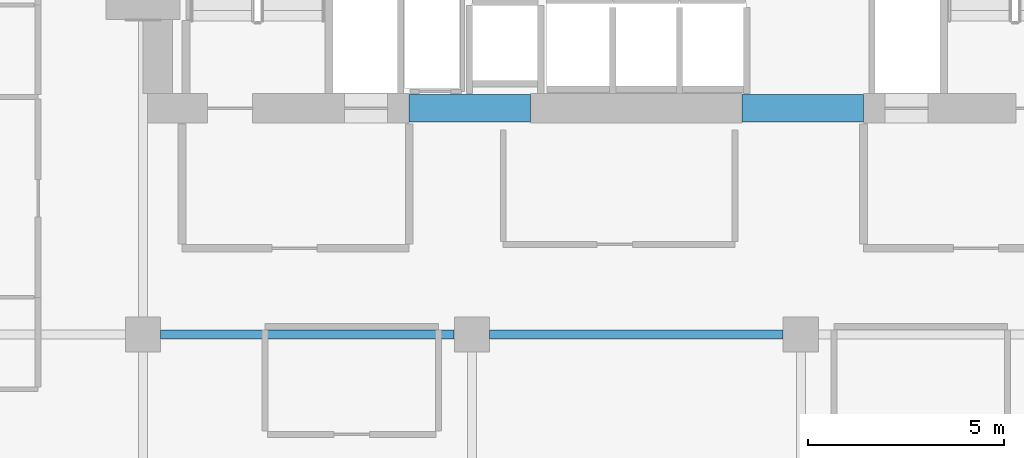
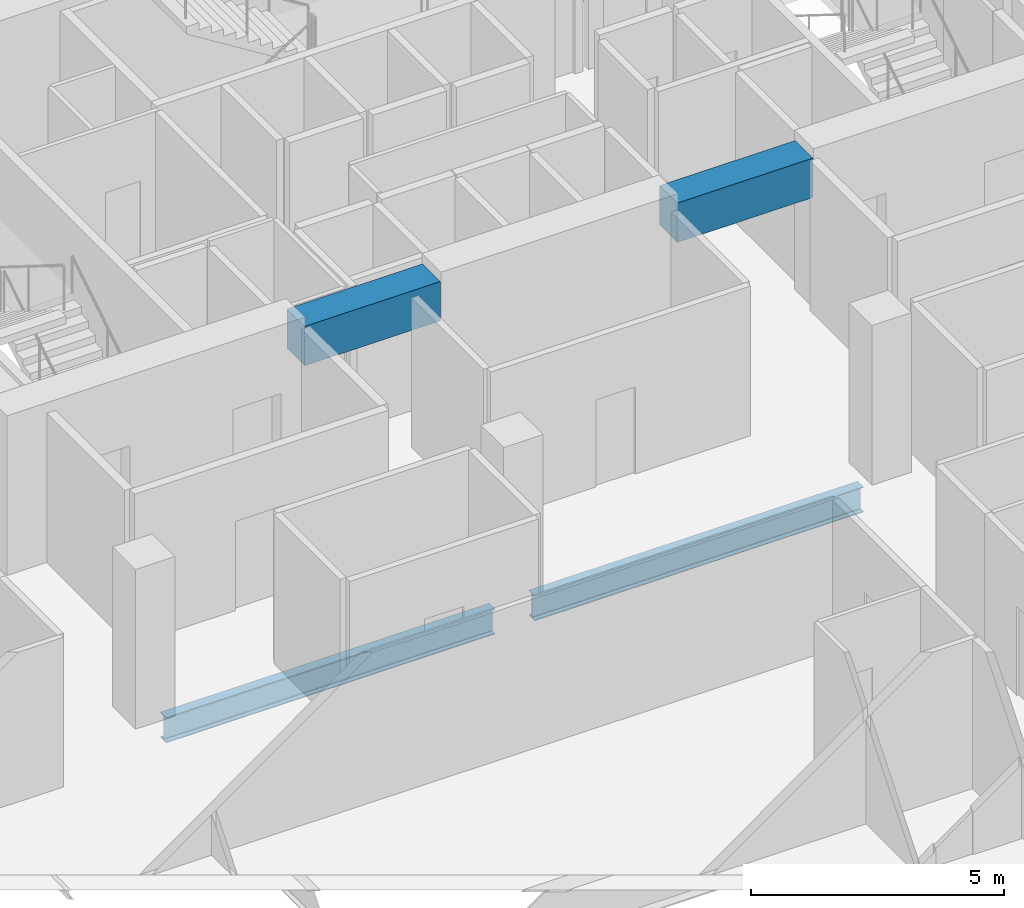
# One storey, part 21 of 33: 4 beams.
"""IFC4 building model written with IfcOpenShell, lengths in metres."""

from ifc_helpers import new_model, si_unit, direction, frame, origin, origin_2d, place, context, subcontext, project, spatial, rectangle, i_section, extrude, material, material_profile, profile_set, type_object, element, save


model = new_model("IFC4")

# Units and contexts
model_context = context("Model", 3, precision=1e-05, world=origin(), true_north=direction((0.0, 1.0)))
body_context = subcontext(model_context, "Body", "Model", "MODEL_VIEW")
ifc_project = project(units=[si_unit("LENGTHUNIT", "METRE"), si_unit("AREAUNIT", "SQUARE_METRE"), si_unit("VOLUMEUNIT", "CUBIC_METRE"), si_unit("PLANEANGLEUNIT", "RADIAN"), si_unit("MASSUNIT", "GRAM", prefix="KILO")], contexts=[model_context])

# Site, building, storey
site_placement = place(None, origin())
site = spatial("IfcSite", under=ifc_project, at=site_placement, CompositionType="ELEMENT")
building_placement = place(site_placement, origin())
building = spatial("IfcBuilding", under=site, at=building_placement, Name="Maruvema Waterfront Hotel and Observation Tower", CompositionType="ELEMENT")
storey_placement = place(building_placement, frame((0.0, 0.0, 150.5)))
storey = spatial("IfcBuildingStorey", under=building, at=storey_placement, Name="L36", CompositionType="ELEMENT", Elevation=150.5)

# Beams
ifc_material_1 = material(Name="Concrete C60/75", Category="concrete")
ifc_material_profile_1 = material_profile(ifc_material_1, rectangle(XDim=0.699951171875, YDim=0.949951171875, at=origin_2d()), Name="CB700x950")
ifc_profile_set_1 = profile_set([ifc_material_profile_1], Name="Concrete C60/75")
beam_type_1 = type_object("IfcBeamType", Name="Core Coupling Lintel Beam CB700x950", PredefinedType="LINTEL", material=ifc_profile_set_1)
for number, where, z_axis, x_axis, name in (
    (1, (32.0, 41.77490234375, 3.135009765625), (1.0, 0.0, 0.0), (0.0, 1.0, 0.0), "L36 Core Coupling Lintel Beam West"),
    (2, (40.5, 41.77490234375, 3.135009765625), (1.0, 0.0, 0.0), (0.0, 1.0, 0.0), "L36 Core Coupling Lintel Beam East"),
):
    element("IfcBeam", number, at=place(storey_placement, frame(where, z_axis=z_axis, x_axis=x_axis)), inside=storey, type_object=beam_type_1, Name=name, PredefinedType="LINTEL", context=body_context, shape_type="SweptSolid", body=[
        extrude(rectangle(XDim=0.699951171875, YDim=0.949951171875, at=origin_2d()), origin(), (0.0, 0.0, 1.0), 3.10009765625),
    ])
ifc_material_2 = material(Name="Steel ASTM A572 Grade 50", Category="steel")
ifc_material_profile_2 = material_profile(ifc_material_2, i_section(OverallWidth=0.22900390625, OverallDepth=0.612060546875, WebThickness=0.011962890625, FlangeThickness=0.01953125, FilletRadius=0.01806640625, at=origin_2d()), Name="W610x125.0")
ifc_profile_set_2 = profile_set([ifc_material_profile_2], Name="Steel ASTM A572 Grade 50")
beam_type_2 = type_object("IfcBeamType", Name="Primary Floor Girder W610x125.0", PredefinedType="BEAM", material=ifc_profile_set_2)
for number, where, z_axis, x_axis, name in (
    (3, (25.64990234375, 36.0, -0.5458984375), (1.0, 0.0, 0.0), (0.0, 1.0, 0.0), "L36 Floor Girder EW-25"),
    (4, (34.050048828125, 36.0, -0.5458984375), (1.0, 0.0, 0.0), (0.0, 1.0, 0.0), "L36 Floor Girder EW-26"),
):
    element("IfcBeam", number, at=place(storey_placement, frame(where, z_axis=z_axis, x_axis=x_axis)), inside=storey, type_object=beam_type_2, Name=name, PredefinedType="BEAM", context=body_context, shape_type="SweptSolid", body=[
        extrude(i_section(OverallWidth=0.22900390625, OverallDepth=0.612060546875, WebThickness=0.011962890625, FlangeThickness=0.01953125, FilletRadius=0.01806640625, at=origin_2d()), origin(), (0.0, 0.0, 1.0), 7.5),
    ])

save(model, "model.ifc")
